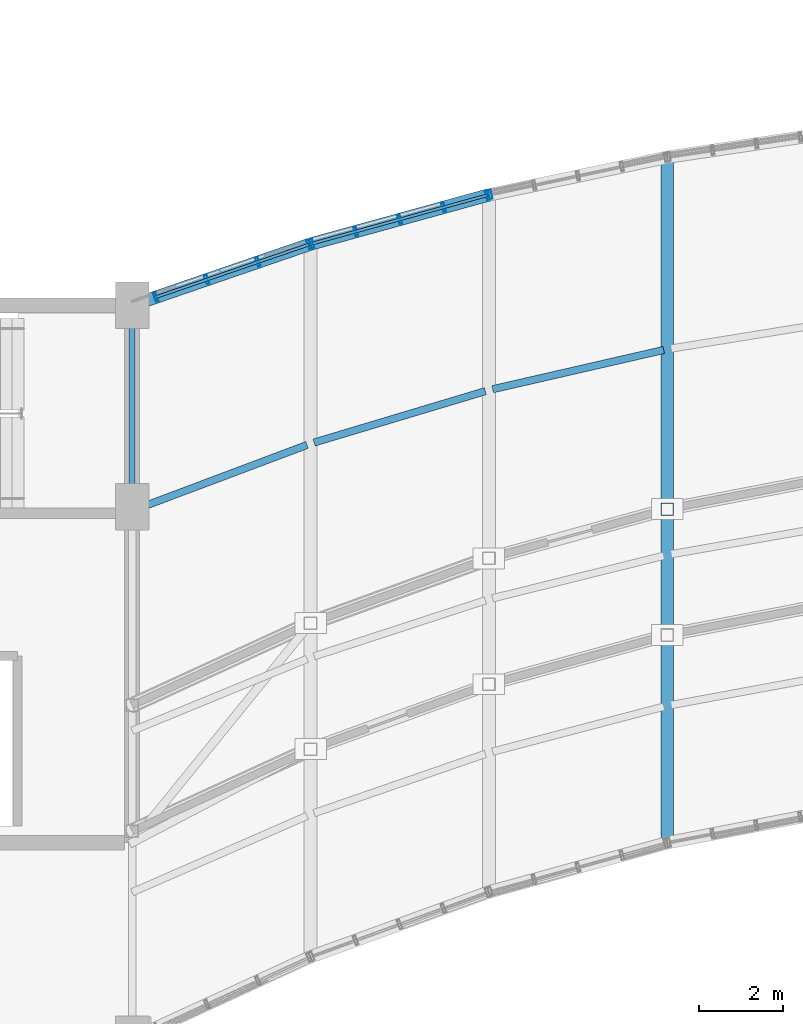
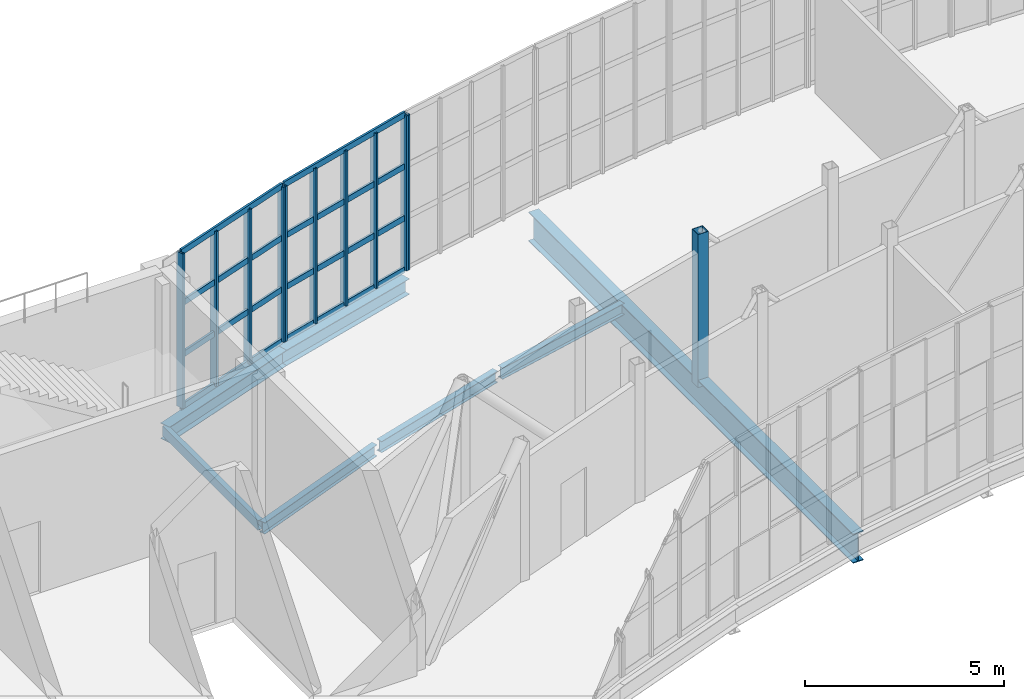
# One storey, part 42 of 86: 19 members, 7 beams, 3 elements without a shape of their own.
"""IFC4 building model written with IfcOpenShell, lengths in metres."""

from ifc_helpers import new_model, si_unit, direction, frame, origin, origin_2d, place, context, subcontext, project, spatial, hollow_rectangle, i_section, extrude, material, material_profile, profile_set, type_object, element, aggregate, save


model = new_model("IFC4")

# Units and contexts
model_context = context("Model", 3, precision=1e-05, world=origin(), true_north=direction((0.0, 1.0)))
body_context = subcontext(model_context, "Body", "Model", "MODEL_VIEW")
ifc_project = project(units=[si_unit("LENGTHUNIT", "METRE"), si_unit("AREAUNIT", "SQUARE_METRE"), si_unit("VOLUMEUNIT", "CUBIC_METRE"), si_unit("PLANEANGLEUNIT", "RADIAN"), si_unit("MASSUNIT", "GRAM", prefix="KILO")], contexts=[model_context])

# Site, building, storey
site_placement = place(None, origin())
site = spatial("IfcSite", under=ifc_project, at=site_placement, CompositionType="ELEMENT")
building_placement = place(site_placement, origin())
building = spatial("IfcBuilding", under=site, at=building_placement, Name="Solvikara Media Centre", CompositionType="ELEMENT")
storey_placement = place(building_placement, frame((0.0, 0.0, 15.0)))
storey = spatial("IfcBuildingStorey", under=building, at=storey_placement, Name="L03", CompositionType="ELEMENT", Elevation=15.0)

# Beams
ifc_material_1 = material(Name="Steel S355JR", Category="steel")
ifc_material_profile_1 = material_profile(ifc_material_1, i_section(OverallWidth=0.300048828125, OverallDepth=0.89990234375, WebThickness=0.01611328125, FlangeThickness=0.028076171875, at=origin_2d()), Name="WF 900x300x16x28")
ifc_profile_set_1 = profile_set([ifc_material_profile_1], Name="Steel S355JR")
beam_type_1 = type_object("IfcBeamType", Name="BM-15", PredefinedType="BEAM", material=ifc_profile_set_1)
beam_1_placement = place(storey_placement, frame((89.25, 23.99609375, -0.672119140625), z_axis=(0.0, 1.0, 0.0), x_axis=(-1.0, 0.0, 0.0)))
element("IfcBeam", 1, at=beam_1_placement, inside=storey, type_object=beam_type_1, Name="BG-L03-NS-03", PredefinedType="BEAM", context=body_context, shape_type="SweptSolid", body=[
    extrude(i_section(OverallWidth=0.300048828125, OverallDepth=0.89990234375, WebThickness=0.01611328125, FlangeThickness=0.028076171875, at=origin_2d()), origin(), (0.0, 0.0, 1.0), 16.3330078125),
])
ifc_material_profile_2 = material_profile(ifc_material_1, i_section(OverallWidth=0.175048828125, OverallDepth=0.35009765625, WebThickness=0.007080078125, FlangeThickness=0.010986328125, at=origin_2d()), Name="WF 350x175x7x11")
ifc_profile_set_2 = profile_set([ifc_material_profile_2], Name="Steel S355JR")
beam_type_2 = type_object("IfcBeamType", Name="BM-22", PredefinedType="JOIST", material=ifc_profile_set_2)
beam_2_placement = place(storey_placement, frame((76.5, 31.906982421875, -0.39697265625), z_axis=(0.936058378207, 0.351844727955, 0.0), x_axis=(-0.351844727955, 0.936058378207, 0.0)))
element("IfcBeam", 2, at=beam_2_placement, inside=storey, type_object=beam_type_2, Name="BJ-L03-00-72", PredefinedType="JOIST", context=body_context, shape_type="SweptSolid", body=[
    extrude(i_section(OverallWidth=0.175048828125, OverallDepth=0.35009765625, WebThickness=0.007080078125, FlangeThickness=0.010986328125, at=origin_2d()), origin(), (0.0, 0.0, 1.0), 4.45068359375),
])
beam_3_placement = place(storey_placement, frame((80.8359375, 33.531005859375, -0.39697265625), z_axis=(0.95779787385, 0.287442573133, 0.0), x_axis=(-0.287442573133, 0.95779787385, 0.0)))
element("IfcBeam", 3, at=beam_3_placement, inside=storey, type_object=beam_type_2, Name="BJ-L03-01-72", PredefinedType="JOIST", context=body_context, shape_type="SweptSolid", body=[
    extrude(i_section(OverallWidth=0.175048828125, OverallDepth=0.35009765625, WebThickness=0.007080078125, FlangeThickness=0.010986328125, at=origin_2d()), origin(), (0.0, 0.0, 1.0), 4.2578125),
])
beam_4_placement = place(storey_placement, frame((85.087890625, 34.801025390625, -0.39697265625), z_axis=(0.974660207056, 0.223690591624, 0.0), x_axis=(-0.223690591624, 0.974660207056, 0.0)))
element("IfcBeam", 4, at=beam_4_placement, inside=storey, type_object=beam_type_2, Name="BJ-L03-02-72", PredefinedType="JOIST", context=body_context, shape_type="SweptSolid", body=[
    extrude(i_section(OverallWidth=0.175048828125, OverallDepth=0.35009765625, WebThickness=0.007080078125, FlangeThickness=0.010986328125, at=origin_2d()), origin(), (0.0, 0.0, 1.0), 4.18017578125),
])
ifc_material_profile_3 = material_profile(ifc_material_1, i_section(OverallWidth=0.300048828125, OverallDepth=0.48193359375, WebThickness=0.010986328125, FlangeThickness=0.014892578125, at=origin_2d()), Name="WF 482x300x11x15")
ifc_profile_set_3 = profile_set([ifc_material_profile_3], Name="Steel S355JR")
beam_type_3 = type_object("IfcBeamType", Name="BM-32", PredefinedType="SPANDREL", material=ifc_profile_set_3)
beam_5_placement = place(storey_placement, frame((76.5, 36.800048828125, -0.462890625), z_axis=(0.945753386984, 0.324885412119, 0.0), x_axis=(-0.324885412119, 0.945753386984, 0.0)))
element("IfcBeam", 5, at=beam_5_placement, inside=storey, type_object=beam_type_3, Name="B-L03-NARC-00", PredefinedType="SPANDREL", context=body_context, shape_type="SweptSolid", body=[
    extrude(i_section(OverallWidth=0.300048828125, OverallDepth=0.48193359375, WebThickness=0.010986328125, FlangeThickness=0.014892578125, at=origin_2d()), origin(), (0.0, 0.0, 1.0), 4.49365234375),
])
beam_6_placement = place(storey_placement, frame((80.75, 38.260009765625, -0.462890625), z_axis=(0.964080686077, 0.265609545636, 0.0), x_axis=(-0.265609545636, 0.964080686077, 0.0)))
element("IfcBeam", 6, at=beam_6_placement, inside=storey, type_object=beam_type_3, Name="B-L03-NARC-01", PredefinedType="SPANDREL", context=body_context, shape_type="SweptSolid", body=[
    extrude(i_section(OverallWidth=0.300048828125, OverallDepth=0.48193359375, WebThickness=0.010986328125, FlangeThickness=0.014892578125, at=origin_2d()), origin(), (0.0, 0.0, 1.0), 4.408447265625),
])
ifc_material_profile_4 = material_profile(ifc_material_1, hollow_rectangle(XDim=0.14990234375, YDim=0.300048828125, WallThickness=0.010009765625, at=origin_2d()), Name="RHS 300x150x10")
ifc_profile_set_4 = profile_set([ifc_material_profile_4], Name="Steel S355JR")
beam_type_4 = type_object("IfcBeamType", Name="BM-35", PredefinedType="BEAM", material=ifc_profile_set_4)
beam_7_placement = place(storey_placement, frame((76.5, 32.0, -0.3720703125), z_axis=(0.0, 1.0, 0.0), x_axis=(-1.0, 0.0, 0.0)))
element("IfcBeam", 7, at=beam_7_placement, inside=storey, type_object=beam_type_4, Name="B-L03-Y1283", PredefinedType="BEAM", context=body_context, shape_type="SweptSolid", body=[
    extrude(hollow_rectangle(XDim=0.14990234375, YDim=0.300048828125, WallThickness=0.010009765625, at=origin_2d()), origin(), (0.0, 0.0, 1.0), 4.800048828125),
])

# Member
ifc_material_profile_5 = material_profile(ifc_material_1, hollow_rectangle(XDim=0.300048828125, YDim=0.300048828125, WallThickness=0.012451171875, at=origin_2d()), Name="RHS 300x300x12.5")
ifc_profile_set_5 = profile_set([ifc_material_profile_5], Name="Steel S355JR")
member_type_1 = type_object("IfcMemberType", Name="MB-11", PredefinedType="CHORD", material=ifc_profile_set_5)
member_1_placement = place(storey_placement, frame((89.25, 31.946044921875, -0.449951171875), z_axis=(0.0, 0.0, 1.0), x_axis=(1.0, 0.0, 0.0)))
element("IfcMember", 8, at=member_1_placement, inside=storey, type_object=member_type_1, Name="WTR-L03-N-V03", PredefinedType="CHORD", context=body_context, shape_type="SweptSolid", body=[
    extrude(hollow_rectangle(XDim=0.300048828125, YDim=0.300048828125, WallThickness=0.012451171875, at=origin_2d()), origin(), (0.0, 0.0, 1.0), 4.699951171875),
])

# Curtain wall, members
ifc_material_2 = material(Name="Anodised aluminium EN AW-6063", Category="aluminium")
curtain_wall_type = type_object("IfcCurtainWallType", Name="CW-02", PredefinedType="NOTDEFINED", material=ifc_material_2)
curtain_wall_1_placement = place(storey_placement, origin())
curtain_wall_1 = element("IfcCurtainWall", 9, at=curtain_wall_1_placement, inside=storey, type_object=curtain_wall_type, Name="CW-L03-NARC-00", PredefinedType="NOTDEFINED")
ifc_material_profile_6 = material_profile(ifc_material_2, hollow_rectangle(XDim=0.06494140625, YDim=0.219970703125, WallThickness=0.00390625, at=origin_2d()), Name="ALU-M 65x220x4")
ifc_profile_set_6 = profile_set([ifc_material_profile_6], Name="Anodised aluminium EN AW-6063")
member_type_2 = type_object("IfcMemberType", Name="MF-01", PredefinedType="MULLION", material=ifc_profile_set_6)
member_2_placement = place(storey_placement, frame((77.06494140625, 36.993896484375, 0.02001953125), z_axis=(0.0, 0.0, 1.0), x_axis=(0.945717277442, 0.324990509319, 0.0)))
member_2 = element("IfcMember", 10, at=member_2_placement, type_object=member_type_2, Name="CW-L03-NARC-00-M00", PredefinedType="MULLION", context=body_context, shape_type="SweptSolid", body=[
    extrude(hollow_rectangle(XDim=0.06494140625, YDim=0.219970703125, WallThickness=0.00390625, at=origin_2d()), origin(), (0.0, 0.0, 1.0), 4.760009765625),
])
member_3_placement = place(storey_placement, frame((78.281982421875, 37.412109375, 0.02001953125), z_axis=(0.0, 0.0, 1.0), x_axis=(0.945717277442, 0.324990509319, 0.0)))
member_3 = element("IfcMember", 11, at=member_3_placement, type_object=member_type_2, Name="CW-L03-NARC-00-M01", PredefinedType="MULLION", context=body_context, shape_type="SweptSolid", body=[
    extrude(hollow_rectangle(XDim=0.06494140625, YDim=0.219970703125, WallThickness=0.00390625, at=origin_2d()), origin(), (0.0, 0.0, 1.0), 4.760009765625),
])
member_4_placement = place(storey_placement, frame((79.4990234375, 37.8310546875, 0.02001953125), z_axis=(0.0, 0.0, 1.0), x_axis=(0.945717277442, 0.324990509319, 0.0)))
member_4 = element("IfcMember", 12, at=member_4_placement, type_object=member_type_2, Name="CW-L03-NARC-00-M02", PredefinedType="MULLION", context=body_context, shape_type="SweptSolid", body=[
    extrude(hollow_rectangle(XDim=0.06494140625, YDim=0.219970703125, WallThickness=0.00390625, at=origin_2d()), origin(), (0.0, 0.0, 1.0), 4.760009765625),
])
member_5_placement = place(storey_placement, frame((80.717041015625, 38.2490234375, 0.02001953125), z_axis=(0.0, 0.0, 1.0), x_axis=(0.945717277442, 0.324990509319, 0.0)))
member_5 = element("IfcMember", 13, at=member_5_placement, type_object=member_type_2, Name="CW-L03-NARC-00-M03", PredefinedType="MULLION", context=body_context, shape_type="SweptSolid", body=[
    extrude(hollow_rectangle(XDim=0.06494140625, YDim=0.219970703125, WallThickness=0.00390625, at=origin_2d()), origin(), (0.0, 0.0, 1.0), 4.760009765625),
])

curtain_wall_2_placement = place(storey_placement, origin())
curtain_wall_2 = element("IfcCurtainWall", 14, at=curtain_wall_2_placement, inside=storey, type_object=curtain_wall_type, Name="CW-L03-NARC-01", PredefinedType="NOTDEFINED")
member_6_placement = place(storey_placement, frame((80.783935546875, 38.26904296875, 0.02001953125), z_axis=(0.0, 0.0, 1.0), x_axis=(0.964030487854, 0.265791682504, 0.0)))
member_6 = element("IfcMember", 15, at=member_6_placement, type_object=member_type_2, Name="CW-L03-NARC-01-M00", PredefinedType="MULLION", context=body_context, shape_type="SweptSolid", body=[
    extrude(hollow_rectangle(XDim=0.06494140625, YDim=0.219970703125, WallThickness=0.00390625, at=origin_2d()), origin(), (0.0, 0.0, 1.0), 4.760009765625),
])
member_7_placement = place(storey_placement, frame((81.830078125, 38.556884765625, 0.02001953125), z_axis=(0.0, 0.0, 1.0), x_axis=(0.964030487854, 0.265791682504, 0.0)))
member_7 = element("IfcMember", 16, at=member_7_placement, type_object=member_type_2, Name="CW-L03-NARC-01-M01", PredefinedType="MULLION", context=body_context, shape_type="SweptSolid", body=[
    extrude(hollow_rectangle(XDim=0.06494140625, YDim=0.219970703125, WallThickness=0.00390625, at=origin_2d()), origin(), (0.0, 0.0, 1.0), 4.760009765625),
])
member_8_placement = place(storey_placement, frame((82.875, 38.844970703125, 0.02001953125), z_axis=(0.0, 0.0, 1.0), x_axis=(0.964030487854, 0.265791682504, 0.0)))
member_8 = element("IfcMember", 17, at=member_8_placement, type_object=member_type_2, Name="CW-L03-NARC-01-M02", PredefinedType="MULLION", context=body_context, shape_type="SweptSolid", body=[
    extrude(hollow_rectangle(XDim=0.06494140625, YDim=0.219970703125, WallThickness=0.00390625, at=origin_2d()), origin(), (0.0, 0.0, 1.0), 4.760009765625),
])
member_9_placement = place(storey_placement, frame((83.9208984375, 39.134033203125, 0.02001953125), z_axis=(0.0, 0.0, 1.0), x_axis=(0.964030487854, 0.265791682504, 0.0)))
member_9 = element("IfcMember", 18, at=member_9_placement, type_object=member_type_2, Name="CW-L03-NARC-01-M03", PredefinedType="MULLION", context=body_context, shape_type="SweptSolid", body=[
    extrude(hollow_rectangle(XDim=0.06494140625, YDim=0.219970703125, WallThickness=0.00390625, at=origin_2d()), origin(), (0.0, 0.0, 1.0), 4.760009765625),
])
member_10_placement = place(storey_placement, frame((84.966064453125, 39.422119140625, 0.02001953125), z_axis=(0.0, 0.0, 1.0), x_axis=(0.964030487854, 0.265791682504, 0.0)))
member_10 = element("IfcMember", 19, at=member_10_placement, type_object=member_type_2, Name="CW-L03-NARC-01-M04", PredefinedType="MULLION", context=body_context, shape_type="SweptSolid", body=[
    extrude(hollow_rectangle(XDim=0.06494140625, YDim=0.219970703125, WallThickness=0.00390625, at=origin_2d()), origin(), (0.0, 0.0, 1.0), 4.760009765625),
])

# Curtain wall, member
curtain_wall_3_placement = place(storey_placement, origin())
curtain_wall_3 = element("IfcCurtainWall", 20, at=curtain_wall_3_placement, inside=storey, type_object=curtain_wall_type, Name="CW-L03-NARC-02", PredefinedType="NOTDEFINED")
member_11_placement = place(storey_placement, frame((85.033935546875, 39.43798828125, 0.02001953125), z_axis=(0.0, 0.0, 1.0), x_axis=(0.97837923005, 0.206818959981, 0.0)))
member_11 = element("IfcMember", 21, at=member_11_placement, type_object=member_type_2, Name="CW-L03-NARC-02-M00", PredefinedType="MULLION", context=body_context, shape_type="SweptSolid", body=[
    extrude(hollow_rectangle(XDim=0.06494140625, YDim=0.219970703125, WallThickness=0.00390625, at=origin_2d()), origin(), (0.0, 0.0, 1.0), 4.760009765625),
])
aggregate(curtain_wall_3, [member_11])

# Member
ifc_material_profile_7 = material_profile(ifc_material_2, hollow_rectangle(XDim=0.06494140625, YDim=0.179931640625, WallThickness=0.00341796875, at=origin_2d()), Name="ALU-T 65x180x3.5")
ifc_profile_set_7 = profile_set([ifc_material_profile_7], Name="Anodised aluminium EN AW-6063")
member_type_3 = type_object("IfcMemberType", Name="MF-07", PredefinedType="USERDEFINED", material=ifc_profile_set_7)
member_12_placement = place(storey_placement, frame((77.06494140625, 36.993896484375, 0.02001953125), z_axis=(0.945709069159, 0.325014394314, 0.0), x_axis=(-0.325014394314, 0.945709069159, 0.0)))
member_12 = element("IfcMember", 22, at=member_12_placement, type_object=member_type_3, Name="CW-L03-NARC-00-T00", ObjectType="TRANSOM", PredefinedType="USERDEFINED", context=body_context, shape_type="SweptSolid", body=[
    extrude(hollow_rectangle(XDim=0.06494140625, YDim=0.179931640625, WallThickness=0.00341796875, at=origin_2d()), origin(), (0.0, 0.0, 1.0), 3.86181640625),
])

member_13_placement = place(storey_placement, frame((77.06494140625, 36.993896484375, 1.60693359375), z_axis=(0.945709069159, 0.325014394314, 0.0), x_axis=(-0.325014394314, 0.945709069159, 0.0)))
member_13 = element("IfcMember", 23, at=member_13_placement, type_object=member_type_3, Name="CW-L03-NARC-00-T01", ObjectType="TRANSOM", PredefinedType="USERDEFINED", context=body_context, shape_type="SweptSolid", body=[
    extrude(hollow_rectangle(XDim=0.06494140625, YDim=0.179931640625, WallThickness=0.00341796875, at=origin_2d()), origin(), (0.0, 0.0, 1.0), 3.86181640625),
])

member_14_placement = place(storey_placement, frame((77.06494140625, 36.993896484375, 3.193115234375), z_axis=(0.945709069159, 0.325014394314, 0.0), x_axis=(-0.325014394314, 0.945709069159, 0.0)))
member_14 = element("IfcMember", 24, at=member_14_placement, type_object=member_type_3, Name="CW-L03-NARC-00-T02", ObjectType="TRANSOM", PredefinedType="USERDEFINED", context=body_context, shape_type="SweptSolid", body=[
    extrude(hollow_rectangle(XDim=0.06494140625, YDim=0.179931640625, WallThickness=0.00341796875, at=origin_2d()), origin(), (0.0, 0.0, 1.0), 3.86181640625),
])

member_15_placement = place(storey_placement, frame((77.06494140625, 36.993896484375, 4.780029296875), z_axis=(0.945709069159, 0.325014394314, 0.0), x_axis=(-0.325014394314, 0.945709069159, 0.0)))
member_15 = element("IfcMember", 25, at=member_15_placement, type_object=member_type_3, Name="CW-L03-NARC-00-T03", ObjectType="TRANSOM", PredefinedType="USERDEFINED", context=body_context, shape_type="SweptSolid", body=[
    extrude(hollow_rectangle(XDim=0.06494140625, YDim=0.179931640625, WallThickness=0.00341796875, at=origin_2d()), origin(), (0.0, 0.0, 1.0), 3.86181640625),
])

aggregate(curtain_wall_1, [member_2, member_3, member_4, member_5, member_12, member_13, member_14, member_15])

member_16_placement = place(storey_placement, frame((80.783935546875, 38.26904296875, 0.02001953125), z_axis=(0.96402892513, 0.265797350461, 0.0), x_axis=(-0.265797350461, 0.96402892513, 0.0)))
member_16 = element("IfcMember", 26, at=member_16_placement, type_object=member_type_3, Name="CW-L03-NARC-01-T00", ObjectType="TRANSOM", PredefinedType="USERDEFINED", context=body_context, shape_type="SweptSolid", body=[
    extrude(hollow_rectangle(XDim=0.06494140625, YDim=0.179931640625, WallThickness=0.00341796875, at=origin_2d()), origin(), (0.0, 0.0, 1.0), 4.338134765625),
])

member_17_placement = place(storey_placement, frame((80.783935546875, 38.26904296875, 1.60693359375), z_axis=(0.96402892513, 0.265797350461, 0.0), x_axis=(-0.265797350461, 0.96402892513, 0.0)))
member_17 = element("IfcMember", 27, at=member_17_placement, type_object=member_type_3, Name="CW-L03-NARC-01-T01", ObjectType="TRANSOM", PredefinedType="USERDEFINED", context=body_context, shape_type="SweptSolid", body=[
    extrude(hollow_rectangle(XDim=0.06494140625, YDim=0.179931640625, WallThickness=0.00341796875, at=origin_2d()), origin(), (0.0, 0.0, 1.0), 4.338134765625),
])

member_18_placement = place(storey_placement, frame((80.783935546875, 38.26904296875, 3.193115234375), z_axis=(0.96402892513, 0.265797350461, 0.0), x_axis=(-0.265797350461, 0.96402892513, 0.0)))
member_18 = element("IfcMember", 28, at=member_18_placement, type_object=member_type_3, Name="CW-L03-NARC-01-T02", ObjectType="TRANSOM", PredefinedType="USERDEFINED", context=body_context, shape_type="SweptSolid", body=[
    extrude(hollow_rectangle(XDim=0.06494140625, YDim=0.179931640625, WallThickness=0.00341796875, at=origin_2d()), origin(), (0.0, 0.0, 1.0), 4.338134765625),
])

member_19_placement = place(storey_placement, frame((80.783935546875, 38.26904296875, 4.780029296875), z_axis=(0.96402892513, 0.265797350461, 0.0), x_axis=(-0.265797350461, 0.96402892513, 0.0)))
member_19 = element("IfcMember", 29, at=member_19_placement, type_object=member_type_3, Name="CW-L03-NARC-01-T03", ObjectType="TRANSOM", PredefinedType="USERDEFINED", context=body_context, shape_type="SweptSolid", body=[
    extrude(hollow_rectangle(XDim=0.06494140625, YDim=0.179931640625, WallThickness=0.00341796875, at=origin_2d()), origin(), (0.0, 0.0, 1.0), 4.338134765625),
])

aggregate(curtain_wall_2, [member_6, member_7, member_8, member_9, member_10, member_16, member_17, member_18, member_19])

save(model, "model.ifc")
